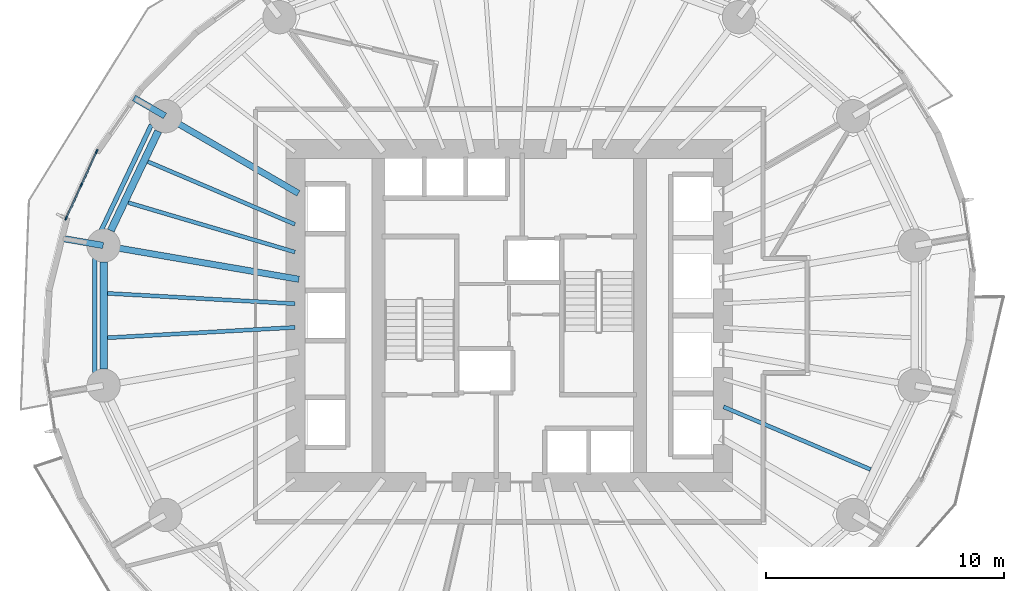
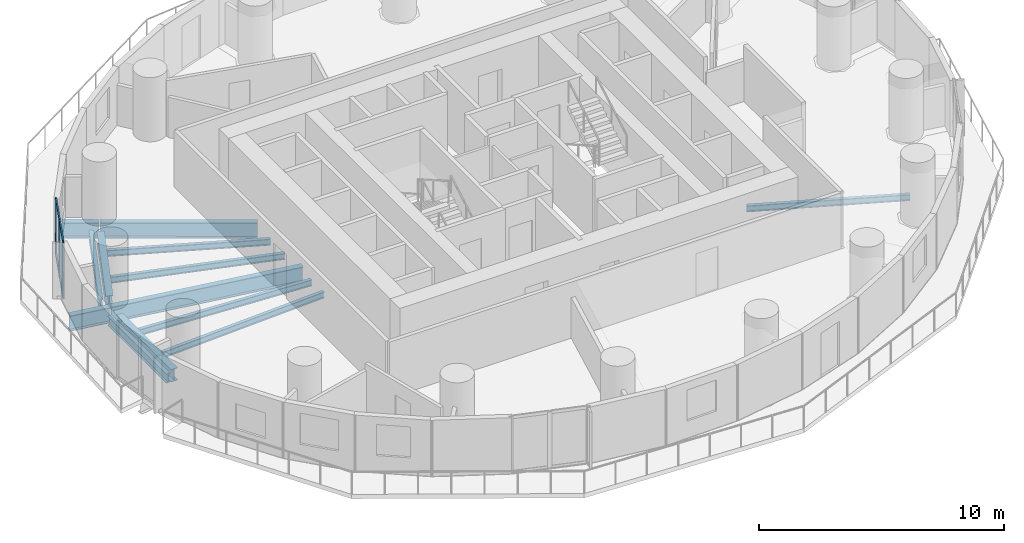
# One storey, part 3 of 13: 13 beams, 7 members, 1 element without a shape of its own.
"""IFC4 building model written with IfcOpenShell, lengths in metres."""

from ifc_helpers import new_model, si_unit, direction, frame, origin, origin_2d, place, context, subcontext, project, spatial, rectangle, i_section, extrude, material, material_profile, profile_set, type_object, element, aggregate, save


model = new_model("IFC4")

# Units and contexts
model_context = context("Model", 3, precision=1e-05, world=origin(), true_north=direction((0.0, 1.0)))
body_context = subcontext(model_context, "Body", "Model", "MODEL_VIEW")
ifc_project = project(units=[si_unit("LENGTHUNIT", "METRE"), si_unit("AREAUNIT", "SQUARE_METRE"), si_unit("VOLUMEUNIT", "CUBIC_METRE"), si_unit("PLANEANGLEUNIT", "RADIAN"), si_unit("MASSUNIT", "GRAM", prefix="KILO")], contexts=[model_context])

# Site, building, storey
site_placement = place(None, origin())
site = spatial("IfcSite", under=ifc_project, at=site_placement, CompositionType="ELEMENT")
building_placement = place(site_placement, origin())
building = spatial("IfcBuilding", under=site, at=building_placement, Name="Veldorim Arch Residences", CompositionType="ELEMENT")
storey_placement = place(building_placement, frame((0.0, 0.0, 63.199951171875)))
storey = spatial("IfcBuildingStorey", under=building, at=storey_placement, Name="L18", CompositionType="ELEMENT", Elevation=63.199951171875)

# Beams
ifc_material_1 = material(Name="Steel S355", Category="steel")
ifc_material_profile_1 = material_profile(ifc_material_1, i_section(OverallWidth=0.30712890625, OverallDepth=0.6201171875, WebThickness=0.01416015625, FlangeThickness=0.023681640625, at=origin_2d()), Name="UB610x305x179")
ifc_profile_set_1 = profile_set([ifc_material_profile_1], Name="Steel S355")
beam_type_1 = type_object("IfcBeamType", Name="Structural Steel Beam UB610x305x179", PredefinedType="BEAM", material=ifc_profile_set_1)
beam_1_placement = place(storey_placement, frame((17.23095703125, 31.75732421875, -0.550048828125), z_axis=(-0.430776422552, -0.902458682585, 0.0), x_axis=(0.902458682585, -0.430776422552, 0.0)))
element("IfcBeam", 1, at=beam_1_placement, inside=storey, type_object=beam_type_1, Name="L18 perimeter ring tie beam 07", PredefinedType="BEAM", context=body_context, shape_type="SweptSolid", body=[
    extrude(i_section(OverallWidth=0.30712890625, OverallDepth=0.6201171875, WebThickness=0.01416015625, FlangeThickness=0.023681640625, at=origin_2d()), origin(), (0.0, 0.0, 1.0), 4.63134765625),
])
beam_2_placement = place(storey_placement, frame((14.934326171875, 26.245849609375, -0.550048828125), z_axis=(0.0, -1.0, 0.0), x_axis=(1.0, 0.0, 0.0)))
element("IfcBeam", 2, at=beam_2_placement, inside=storey, type_object=beam_type_1, Name="L18 perimeter ring tie beam 08", PredefinedType="BEAM", context=body_context, shape_type="SweptSolid", body=[
    extrude(i_section(OverallWidth=0.30712890625, OverallDepth=0.6201171875, WebThickness=0.01416015625, FlangeThickness=0.023681640625, at=origin_2d()), origin(), (0.0, 0.0, 1.0), 4.49169921875),
])
ifc_material_2 = material(Name="Steel S355", Category="steel")
ifc_material_profile_2 = material_profile(ifc_material_2, i_section(OverallWidth=0.26806640625, OverallDepth=0.769775390625, WebThickness=0.015625, FlangeThickness=0.025390625, at=origin_2d()), Name="UB762x267x197")
ifc_profile_set_2 = profile_set([ifc_material_profile_2], Name="Steel S355")
beam_type_2 = type_object("IfcBeamType", Name="Structural Steel GIRDER UB762x267x197", PredefinedType="USERDEFINED", material=ifc_profile_set_2)
beam_3_placement = place(storey_placement, frame((23.1298828125, 29.1435546875, -0.624755859375), z_axis=(-0.865088348752, 0.501619525989, 0.0), x_axis=(-0.501619525989, -0.865088348752, 0.0)))
element("IfcBeam", 3, at=beam_3_placement, inside=storey, type_object=beam_type_2, Name="L18 radial floor girder 07", ObjectType="GIRDER", PredefinedType="USERDEFINED", context=body_context, shape_type="SweptSolid", body=[
    extrude(i_section(OverallWidth=0.26806640625, OverallDepth=0.769775390625, WebThickness=0.015625, FlangeThickness=0.025390625, at=origin_2d()), origin(), (0.0, 0.0, 1.0), 6.4501953125),
])
beam_4_placement = place(storey_placement, frame((17.51513671875, 32.399169921875, -0.624755859375), z_axis=(-0.865060666907, 0.501667262805, 0.0), x_axis=(-0.501667262805, -0.865060666907, 0.0)))
element("IfcBeam", 4, at=beam_4_placement, inside=storey, type_object=beam_type_2, Name="L18 radial edge cantilever girder 07", ObjectType="GIRDER", PredefinedType="USERDEFINED", context=body_context, shape_type="SweptSolid", body=[
    extrude(i_section(OverallWidth=0.26806640625, OverallDepth=0.769775390625, WebThickness=0.015625, FlangeThickness=0.025390625, at=origin_2d()), origin(), (0.0, 0.0, 1.0), 1.509521484375),
])
beam_5_placement = place(storey_placement, frame((23.147705078125, 25.528076171875, -0.624755859375), z_axis=(-0.985427548249, 0.170095699979, 0.0), x_axis=(-0.170095699979, -0.985427548249, 0.0)))
element("IfcBeam", 5, at=beam_5_placement, inside=storey, type_object=beam_type_2, Name="L18 radial floor girder 08", ObjectType="GIRDER", PredefinedType="USERDEFINED", context=body_context, shape_type="SweptSolid", body=[
    extrude(i_section(OverallWidth=0.26806640625, OverallDepth=0.769775390625, WebThickness=0.015625, FlangeThickness=0.025390625, at=origin_2d()), origin(), (0.0, 0.0, 1.0), 8.314697265625),
])
beam_6_placement = place(storey_placement, frame((14.91455078125, 26.94921875, -0.624755859375), z_axis=(-0.985421461272, 0.170130960336, 0.0), x_axis=(-0.170130960336, -0.985421461272, 0.0)))
element("IfcBeam", 6, at=beam_6_placement, inside=storey, type_object=beam_type_2, Name="L18 radial edge cantilever girder 08", ObjectType="GIRDER", PredefinedType="USERDEFINED", context=body_context, shape_type="SweptSolid", body=[
    extrude(i_section(OverallWidth=0.26806640625, OverallDepth=0.769775390625, WebThickness=0.015625, FlangeThickness=0.025390625, at=origin_2d()), origin(), (0.0, 0.0, 1.0), 1.7880859375),
])
ifc_material_3 = material(Name="Steel S355", Category="steel")
ifc_material_profile_3 = material_profile(ifc_material_3, i_section(OverallWidth=0.165771484375, OverallDepth=0.306640625, WebThickness=0.006591796875, FlangeThickness=0.01171875, at=origin_2d()), Name="UB305x165x46")
ifc_profile_set_3 = profile_set([ifc_material_profile_3], Name="Steel S355")
beam_type_3 = type_object("IfcBeamType", Name="Structural Steel Joist UB305x165x46", PredefinedType="JOIST", material=ifc_profile_set_3)
beam_7_placement = place(storey_placement, frame((22.981689453125, 27.84130859375, -0.393310546875), z_axis=(-0.920032948668, 0.391841005213, 0.0), x_axis=(-0.391841005213, -0.920032948668, 0.0)))
element("IfcBeam", 7, at=beam_7_placement, inside=storey, type_object=beam_type_3, Name="L18 secondary radial floor joist 07-1", PredefinedType="JOIST", context=body_context, shape_type="SweptSolid", body=[
    extrude(i_section(OverallWidth=0.165771484375, OverallDepth=0.306640625, WebThickness=0.006591796875, FlangeThickness=0.01171875, at=origin_2d()), origin(), (0.0, 0.0, 1.0), 6.723388671875),
])
beam_8_placement = place(storey_placement, frame((22.980712890625, 26.67333984375, -0.393310546875), z_axis=(-0.958766778771, 0.284194060325, 0.0), x_axis=(-0.284194060325, -0.958766778771, 0.0)))
element("IfcBeam", 8, at=beam_8_placement, inside=storey, type_object=beam_type_3, Name="L18 secondary radial floor joist 07-2", PredefinedType="JOIST", context=body_context, shape_type="SweptSolid", body=[
    extrude(i_section(OverallWidth=0.165771484375, OverallDepth=0.306640625, WebThickness=0.006591796875, FlangeThickness=0.01171875, at=origin_2d()), origin(), (0.0, 0.0, 1.0), 7.3115234375),
])
for number, where, z_axis, x_axis, name in (
    (9, (22.97998046875, 24.498291015625, -0.393310546875), (-0.998478371109, 0.055144740699, 0.0), (-0.055144740699, -0.998478371109, 0.0), "L18 secondary radial floor joist 08-1"),
    (10, (22.97998046875, 23.501708984375, -0.393310546875), (-0.998478371109, -0.055144740699, 0.0), (0.055144740699, -0.998478371109, 0.0), "L18 secondary radial floor joist 08-2"),
):
    element("IfcBeam", number, at=place(storey_placement, frame(where, z_axis=z_axis, x_axis=x_axis)), inside=storey, type_object=beam_type_3, Name=name, PredefinedType="JOIST", context=body_context, shape_type="SweptSolid", body=[
        extrude(i_section(OverallWidth=0.165771484375, OverallDepth=0.306640625, WebThickness=0.006591796875, FlangeThickness=0.01171875, at=origin_2d()), origin(), (0.0, 0.0, 1.0), 7.898193359375),
    ])
beam_9_placement = place(storey_placement, frame((41.018310546875, 20.15869140625, -0.393310546875), z_axis=(0.920032948668, -0.391841005213, 0.0), x_axis=(0.391841005213, 0.920032948668, 0.0)))
element("IfcBeam", 11, at=beam_9_placement, inside=storey, type_object=beam_type_3, Name="L18 secondary radial floor joist 15-1", PredefinedType="JOIST", context=body_context, shape_type="SweptSolid", body=[
    extrude(i_section(OverallWidth=0.165771484375, OverallDepth=0.306640625, WebThickness=0.006591796875, FlangeThickness=0.01171875, at=origin_2d()), origin(), (0.0, 0.0, 1.0), 6.723388671875),
])
ifc_material_4 = material(Name="Steel S355", Category="steel")
ifc_material_profile_4 = material_profile(ifc_material_4, i_section(OverallWidth=0.19140625, OverallDepth=0.4599609375, WebThickness=0.010009765625, FlangeThickness=0.01611328125, at=origin_2d()), Name="UB457x191x82")
ifc_profile_set_4 = profile_set([ifc_material_profile_4], Name="Steel S355")
beam_type_4 = type_object("IfcBeamType", Name="Structural Steel Spandrel UB457x191x82", PredefinedType="SPANDREL", material=ifc_profile_set_4)
beam_10_placement = place(storey_placement, frame((16.939453125, 32.023193359375, -0.489990234375), z_axis=(-0.428847831425, -0.903376741721, 0.0), x_axis=(0.903376741721, -0.428847831425, 0.0)))
element("IfcBeam", 12, at=beam_10_placement, inside=storey, type_object=beam_type_4, Name="L18 perimeter chord spandrel beam 07", PredefinedType="SPANDREL", context=body_context, shape_type="SweptSolid", body=[
    extrude(i_section(OverallWidth=0.19140625, OverallDepth=0.4599609375, WebThickness=0.010009765625, FlangeThickness=0.01611328125, at=origin_2d()), origin(), (0.0, 0.0, 1.0), 4.932861328125),
])
beam_11_placement = place(storey_placement, frame((14.559814453125, 26.39453125, -0.489990234375), z_axis=(0.0, -1.0, 0.0), x_axis=(1.0, 0.0, 0.0)))
element("IfcBeam", 13, at=beam_11_placement, inside=storey, type_object=beam_type_4, Name="L18 perimeter chord spandrel beam 08", PredefinedType="SPANDREL", context=body_context, shape_type="SweptSolid", body=[
    extrude(i_section(OverallWidth=0.19140625, OverallDepth=0.4599609375, WebThickness=0.010009765625, FlangeThickness=0.01611328125, at=origin_2d()), origin(), (0.0, 0.0, 1.0), 4.7890625),
])

# Curtain wall, members
ifc_material_5 = material(Name="Aluminium", Category="aluminium")
curtain_wall_type = type_object("IfcCurtainWallType", Name="Zone 1 Acoustic Low-E Unitised Curtain Wall", PredefinedType="NOTDEFINED", material=ifc_material_5)
curtain_wall_placement = place(storey_placement, origin())
curtain_wall = element("IfcCurtainWall", 14, at=curtain_wall_placement, inside=storey, type_object=curtain_wall_type, Name="L18 unitised curtain wall bay 15", PredefinedType="NOTDEFINED")
ifc_material_6 = material(Name="Aluminium", Category="aluminium")
ifc_material_profile_5 = material_profile(ifc_material_6, rectangle(XDim=0.06494140625, YDim=0.175048828125, at=origin_2d()), Name="ALU_MUL_65x175")
ifc_profile_set_5 = profile_set([ifc_material_profile_5], Name="Aluminium")
member_type_1 = type_object("IfcMemberType", Name="Zone 1 Acoustic Low-E Unitised Curtain Wall Mullion 65x175", PredefinedType="MULLION", material=ifc_profile_set_5)
member_1_placement = place(storey_placement, frame((13.3564453125, 28.0966796875, 0.0), z_axis=(0.0, 0.0, 1.0), x_axis=(-0.909302816235, 0.416135060272, 0.0)))
member_1 = element("IfcMember", 15, at=member_1_placement, type_object=member_type_1, Name="CW-Z1 mullion 1", PredefinedType="MULLION", context=body_context, shape_type="SweptSolid", body=[
    extrude(rectangle(XDim=0.06494140625, YDim=0.175048828125, at=origin_2d()), origin(), (0.0, 0.0, 1.0), 2.800048828125),
])
member_2_placement = place(storey_placement, frame((13.999267578125, 29.50146484375, 0.0), z_axis=(0.0, 0.0, 1.0), x_axis=(-0.909302816235, 0.416135060272, 0.0)))
member_2 = element("IfcMember", 16, at=member_2_placement, type_object=member_type_1, Name="CW-Z1 mullion 2", PredefinedType="MULLION", context=body_context, shape_type="SweptSolid", body=[
    extrude(rectangle(XDim=0.06494140625, YDim=0.175048828125, at=origin_2d()), origin(), (0.0, 0.0, 1.0), 2.800048828125),
])
member_3_placement = place(storey_placement, frame((14.64208984375, 30.906005859375, 0.0), z_axis=(0.0, 0.0, 1.0), x_axis=(-0.909302816235, 0.416135060272, 0.0)))
member_3 = element("IfcMember", 17, at=member_3_placement, type_object=member_type_1, Name="CW-Z1 mullion 3", PredefinedType="MULLION", context=body_context, shape_type="SweptSolid", body=[
    extrude(rectangle(XDim=0.06494140625, YDim=0.175048828125, at=origin_2d()), origin(), (0.0, 0.0, 1.0), 2.800048828125),
])
ifc_material_7 = material(Name="Aluminium", Category="aluminium")
ifc_material_profile_6 = material_profile(ifc_material_7, rectangle(XDim=0.06494140625, YDim=0.14990234375, at=origin_2d()), Name="ALU_TRN_65x150")
ifc_profile_set_6 = profile_set([ifc_material_profile_6], Name="Aluminium")
member_type_2 = type_object("IfcMemberType", Name="Zone 1 Acoustic Low-E Unitised Curtain Wall Transom 65x150", PredefinedType="USERDEFINED", material=ifc_profile_set_6)
member_4_placement = place(storey_placement, frame((13.3701171875, 28.126220703125, 0.032470703125), z_axis=(0.416063841269, 0.909335405661, 0.0), x_axis=(-0.909335405661, 0.416063841269, 0.0)))
member_4 = element("IfcMember", 18, at=member_4_placement, type_object=member_type_2, Name="CW-Z1 transom 1.1", ObjectType="TRANSOM", PredefinedType="USERDEFINED", context=body_context, shape_type="SweptSolid", body=[
    extrude(rectangle(XDim=0.06494140625, YDim=0.14990234375, at=origin_2d()), origin(), (0.0, 0.0, 1.0), 1.47998046875),
])
member_5_placement = place(storey_placement, frame((13.3701171875, 28.126220703125, 2.767578125), z_axis=(0.416063841269, 0.909335405661, 0.0), x_axis=(-0.909335405661, 0.416063841269, 0.0)))
member_5 = element("IfcMember", 19, at=member_5_placement, type_object=member_type_2, Name="CW-Z1 transom 1.2", ObjectType="TRANSOM", PredefinedType="USERDEFINED", context=body_context, shape_type="SweptSolid", body=[
    extrude(rectangle(XDim=0.06494140625, YDim=0.14990234375, at=origin_2d()), origin(), (0.0, 0.0, 1.0), 1.47998046875),
])
member_6_placement = place(storey_placement, frame((14.012939453125, 29.531005859375, 0.032470703125), z_axis=(0.41612626609, 0.909306840769, 0.0), x_axis=(-0.909306840769, 0.41612626609, 0.0)))
member_6 = element("IfcMember", 20, at=member_6_placement, type_object=member_type_2, Name="CW-Z1 transom 2.1", ObjectType="TRANSOM", PredefinedType="USERDEFINED", context=body_context, shape_type="SweptSolid", body=[
    extrude(rectangle(XDim=0.06494140625, YDim=0.14990234375, at=origin_2d()), origin(), (0.0, 0.0, 1.0), 1.479736328125),
])
member_7_placement = place(storey_placement, frame((14.012939453125, 29.531005859375, 2.767578125), z_axis=(0.41612626609, 0.909306840769, 0.0), x_axis=(-0.909306840769, 0.41612626609, 0.0)))
member_7 = element("IfcMember", 21, at=member_7_placement, type_object=member_type_2, Name="CW-Z1 transom 2.2", ObjectType="TRANSOM", PredefinedType="USERDEFINED", context=body_context, shape_type="SweptSolid", body=[
    extrude(rectangle(XDim=0.06494140625, YDim=0.14990234375, at=origin_2d()), origin(), (0.0, 0.0, 1.0), 1.479736328125),
])
aggregate(curtain_wall, [member_1, member_2, member_3, member_4, member_5, member_6, member_7])

save(model, "model.ifc")
